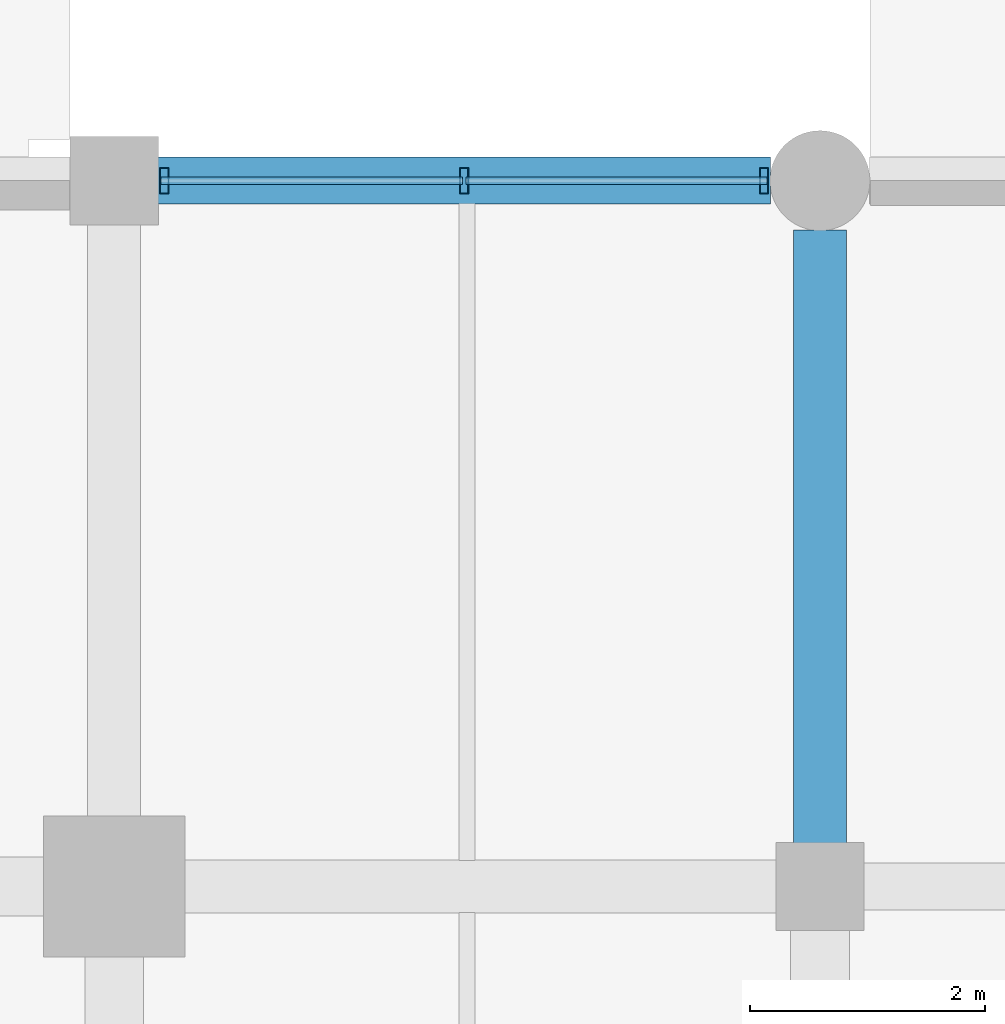
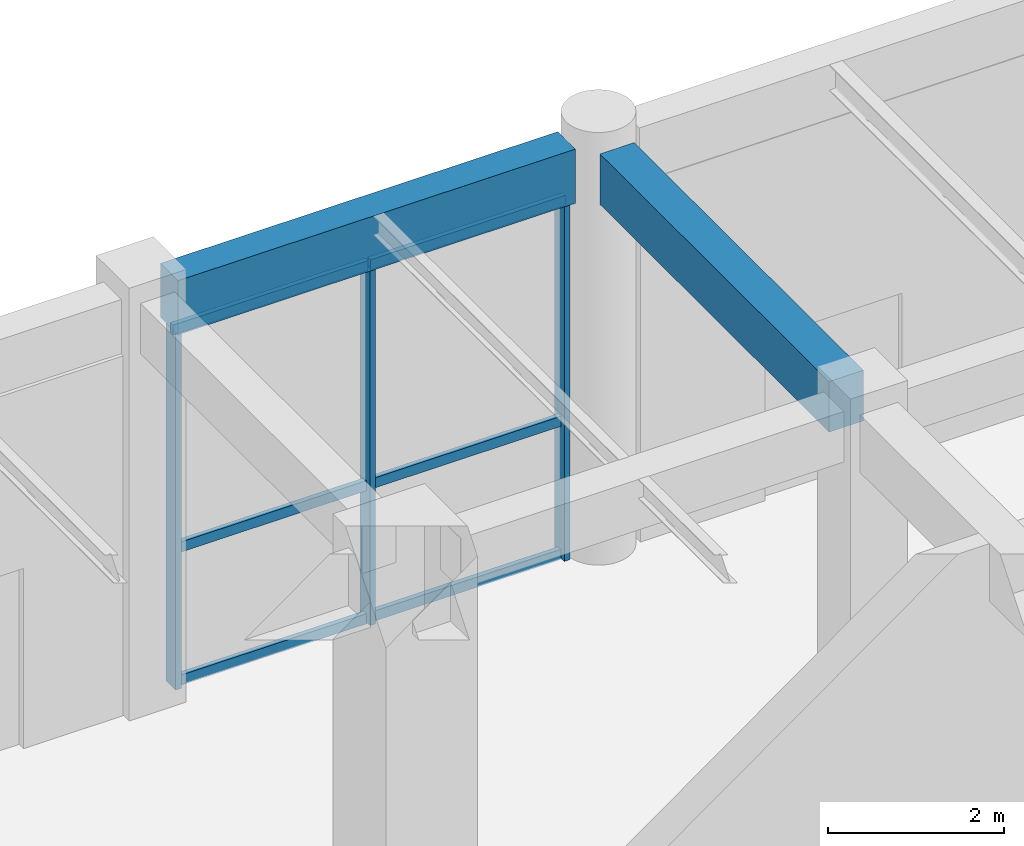
# One storey, part 51 of 106: 9 members, 2 beams, 1 element without a shape of its own.
"""IFC4 building model written with IfcOpenShell, lengths in metres."""

from ifc_helpers import new_model, si_unit, direction, frame, origin, origin_2d, place, context, subcontext, project, spatial, rectangle, hollow_rectangle, extrude, material, material_profile, profile_set, type_object, element, aggregate, save


model = new_model("IFC4")

# Units and contexts
model_context = context("Model", 3, precision=1e-05, world=origin(), true_north=direction((0.0, 1.0)))
body_context = subcontext(model_context, "Body", "Model", "MODEL_VIEW")
ifc_project = project(units=[si_unit("LENGTHUNIT", "METRE"), si_unit("AREAUNIT", "SQUARE_METRE"), si_unit("VOLUMEUNIT", "CUBIC_METRE"), si_unit("PLANEANGLEUNIT", "RADIAN"), si_unit("MASSUNIT", "GRAM", prefix="KILO"), si_unit("THERMODYNAMICTEMPERATUREUNIT", "KELVIN"), si_unit("POWERUNIT", "WATT")], contexts=[model_context])

# Site, building, storey
site_placement = place(None, origin())
site = spatial("IfcSite", under=ifc_project, at=site_placement, CompositionType="ELEMENT")
building_placement = place(site_placement, origin())
building = spatial("IfcBuilding", under=site, at=building_placement, Name="Phaisarnlok Congress Hotel", CompositionType="ELEMENT")
storey_placement = place(building_placement, origin())
storey = spatial("IfcBuildingStorey", under=building, at=storey_placement, Name="L00", CompositionType="ELEMENT", Elevation=0.0)

# Beam
ifc_material_1 = material(Name="Concrete C40/50", Category="concrete")
ifc_material_profile_1 = material_profile(ifc_material_1, rectangle(XDim=0.449951171875, YDim=0.699951171875, at=origin_2d()), Name="RC 450x700")
ifc_profile_set_1 = profile_set([ifc_material_profile_1], Name="Concrete C40/50")
beam_type_1 = type_object("IfcBeamType", Name="BM-RC-450x700", PredefinedType="BEAM", material=ifc_profile_set_1)
beam_1_placement = place(storey_placement, frame((126.0, 120.3701171875, 5.389892578125), z_axis=(0.0, 1.0, 0.0), x_axis=(-1.0, 0.0, 0.0)))
element("IfcBeam", 1, at=beam_1_placement, inside=storey, type_object=beam_type_1, Name="Beam B-03", PredefinedType="BEAM", context=body_context, shape_type="SweptSolid", body=[
    extrude(rectangle(XDim=0.449951171875, YDim=0.699951171875, at=origin_2d()), origin(), (0.0, 0.0, 1.0), 5.2099609375),
])

# Curtain wall, members
ifc_material_2 = material(Name="Thermally Broken Unitised Aluminium & Low-E Glazing", Category="aluminium")
curtain_wall_type = type_object("IfcCurtainWallType", Name="CW-UNIT-03", PredefinedType="NOTDEFINED", material=ifc_material_2)
curtain_wall_placement = place(storey_placement, origin())
curtain_wall = element("IfcCurtainWall", 2, at=curtain_wall_placement, inside=storey, type_object=curtain_wall_type, Name="Unitised curtain wall CW-03 (L00)", PredefinedType="NOTDEFINED")
ifc_material_3 = material(Name="Anodised Aluminium Alloy 6063-T6", Category="aluminium")
ifc_material_profile_2 = material_profile(ifc_material_3, hollow_rectangle(XDim=0.074951171875, YDim=0.219970703125, WallThickness=0.0048828125, at=origin_2d()), Name="ALU-M 75x220x5")
ifc_profile_set_2 = profile_set([ifc_material_profile_2], Name="Anodised Aluminium Alloy 6063-T6")
member_type_1 = type_object("IfcMemberType", Name="CWM-220", PredefinedType="MULLION", material=ifc_profile_set_2)
member_1_placement = place(storey_placement, frame((125.52490234375, 126.0, 0.0), z_axis=(0.0, 0.0, 1.0), x_axis=(-1.0, 0.0, 0.0)))
member_1 = element("IfcMember", 3, at=member_1_placement, type_object=member_type_1, Name="Curtain wall mullion CWM-02", PredefinedType="MULLION", context=body_context, shape_type="SweptSolid", body=[
    extrude(hollow_rectangle(XDim=0.074951171875, YDim=0.219970703125, WallThickness=0.0048828125, at=origin_2d()), origin(), (0.0, 0.0, 1.0), 4.989990234375),
])
member_2_placement = place(storey_placement, frame((122.97509765625, 126.0, 0.0), z_axis=(0.0, 0.0, 1.0), x_axis=(-1.0, 0.0, 0.0)))
member_2 = element("IfcMember", 4, at=member_2_placement, type_object=member_type_1, Name="Curtain wall mullion CWM-02", PredefinedType="MULLION", context=body_context, shape_type="SweptSolid", body=[
    extrude(hollow_rectangle(XDim=0.074951171875, YDim=0.219970703125, WallThickness=0.0048828125, at=origin_2d()), origin(), (0.0, 0.0, 1.0), 4.989990234375),
])
member_3_placement = place(storey_placement, frame((120.425048828125, 126.0, 0.0), z_axis=(0.0, 0.0, 1.0), x_axis=(-1.0, 0.0, 0.0)))
member_3 = element("IfcMember", 5, at=member_3_placement, type_object=member_type_1, Name="Curtain wall mullion CWM-02", PredefinedType="MULLION", context=body_context, shape_type="SweptSolid", body=[
    extrude(hollow_rectangle(XDim=0.074951171875, YDim=0.219970703125, WallThickness=0.0048828125, at=origin_2d()), origin(), (0.0, 0.0, 1.0), 4.989990234375),
])
ifc_material_profile_3 = material_profile(ifc_material_3, hollow_rectangle(XDim=0.06494140625, YDim=0.139892578125, WallThickness=0.00390625, at=origin_2d()), Name="ALU-T 65x140x4")
ifc_profile_set_3 = profile_set([ifc_material_profile_3], Name="Anodised Aluminium Alloy 6063-T6")
member_type_2 = type_object("IfcMemberType", Name="CWT-150", PredefinedType="USERDEFINED", material=ifc_profile_set_3)
member_4_placement = place(storey_placement, frame((125.550048828125, 126.0, 0.050048828125), z_axis=(-1.0, 0.0, 0.0), x_axis=(0.0, -1.0, 0.0)))
member_4 = element("IfcMember", 6, at=member_4_placement, type_object=member_type_2, Name="Curtain wall transom CWT-01", ObjectType="TRANSOM", PredefinedType="USERDEFINED", context=body_context, shape_type="SweptSolid", body=[
    extrude(hollow_rectangle(XDim=0.06494140625, YDim=0.139892578125, WallThickness=0.00390625, at=origin_2d()), origin(), (0.0, 0.0, 1.0), 2.56005859375),
])
member_5_placement = place(storey_placement, frame((125.550048828125, 126.0, 1.896240234375), z_axis=(-1.0, 0.0, 0.0), x_axis=(0.0, -1.0, 0.0)))
member_5 = element("IfcMember", 7, at=member_5_placement, type_object=member_type_2, Name="Curtain wall transom CWT-01", ObjectType="TRANSOM", PredefinedType="USERDEFINED", context=body_context, shape_type="SweptSolid", body=[
    extrude(hollow_rectangle(XDim=0.06494140625, YDim=0.139892578125, WallThickness=0.00390625, at=origin_2d()), origin(), (0.0, 0.0, 1.0), 2.56005859375),
])
member_6_placement = place(storey_placement, frame((125.550048828125, 126.0, 4.93994140625), z_axis=(-1.0, 0.0, 0.0), x_axis=(0.0, -1.0, 0.0)))
member_6 = element("IfcMember", 8, at=member_6_placement, type_object=member_type_2, Name="Curtain wall transom CWT-01", ObjectType="TRANSOM", PredefinedType="USERDEFINED", context=body_context, shape_type="SweptSolid", body=[
    extrude(hollow_rectangle(XDim=0.06494140625, YDim=0.139892578125, WallThickness=0.00390625, at=origin_2d()), origin(), (0.0, 0.0, 1.0), 2.56005859375),
])
member_7_placement = place(storey_placement, frame((122.9599609375, 126.0, 0.050048828125), z_axis=(-1.0, 0.0, 0.0), x_axis=(0.0, -1.0, 0.0)))
member_7 = element("IfcMember", 9, at=member_7_placement, type_object=member_type_2, Name="Curtain wall transom CWT-01", ObjectType="TRANSOM", PredefinedType="USERDEFINED", context=body_context, shape_type="SweptSolid", body=[
    extrude(hollow_rectangle(XDim=0.06494140625, YDim=0.139892578125, WallThickness=0.00390625, at=origin_2d()), origin(), (0.0, 0.0, 1.0), 2.56005859375),
])
member_8_placement = place(storey_placement, frame((122.9599609375, 126.0, 1.896240234375), z_axis=(-1.0, 0.0, 0.0), x_axis=(0.0, -1.0, 0.0)))
member_8 = element("IfcMember", 10, at=member_8_placement, type_object=member_type_2, Name="Curtain wall transom CWT-01", ObjectType="TRANSOM", PredefinedType="USERDEFINED", context=body_context, shape_type="SweptSolid", body=[
    extrude(hollow_rectangle(XDim=0.06494140625, YDim=0.139892578125, WallThickness=0.00390625, at=origin_2d()), origin(), (0.0, 0.0, 1.0), 2.56005859375),
])
member_9_placement = place(storey_placement, frame((122.9599609375, 126.0, 4.93994140625), z_axis=(-1.0, 0.0, 0.0), x_axis=(0.0, -1.0, 0.0)))
member_9 = element("IfcMember", 11, at=member_9_placement, type_object=member_type_2, Name="Curtain wall transom CWT-01", ObjectType="TRANSOM", PredefinedType="USERDEFINED", context=body_context, shape_type="SweptSolid", body=[
    extrude(hollow_rectangle(XDim=0.06494140625, YDim=0.139892578125, WallThickness=0.00390625, at=origin_2d()), origin(), (0.0, 0.0, 1.0), 2.56005859375),
])
aggregate(curtain_wall, [member_1, member_2, member_3, member_4, member_5, member_6, member_7, member_8, member_9])

# Beam
ifc_material_profile_4 = material_profile(ifc_material_1, rectangle(XDim=0.39990234375, YDim=0.75, at=origin_2d()), Name="RC 400x750")
ifc_profile_set_4 = profile_set([ifc_material_profile_4], Name="Concrete C40/50")
beam_type_2 = type_object("IfcBeamType", Name="SP-RC-400x750", PredefinedType="SPANDREL", material=ifc_profile_set_4)
beam_2_placement = place(storey_placement, frame((120.3701171875, 126.0, 5.364990234375), z_axis=(1.0, 0.0, 0.0), x_axis=(0.0, 1.0, 0.0)))
element("IfcBeam", 12, at=beam_2_placement, inside=storey, type_object=beam_type_2, Name="Beam SP-02", PredefinedType="SPANDREL", context=body_context, shape_type="SweptSolid", body=[
    extrude(rectangle(XDim=0.39990234375, YDim=0.75, at=origin_2d()), origin(), (0.0, 0.0, 1.0), 5.2099609375),
])

save(model, "model.ifc")
